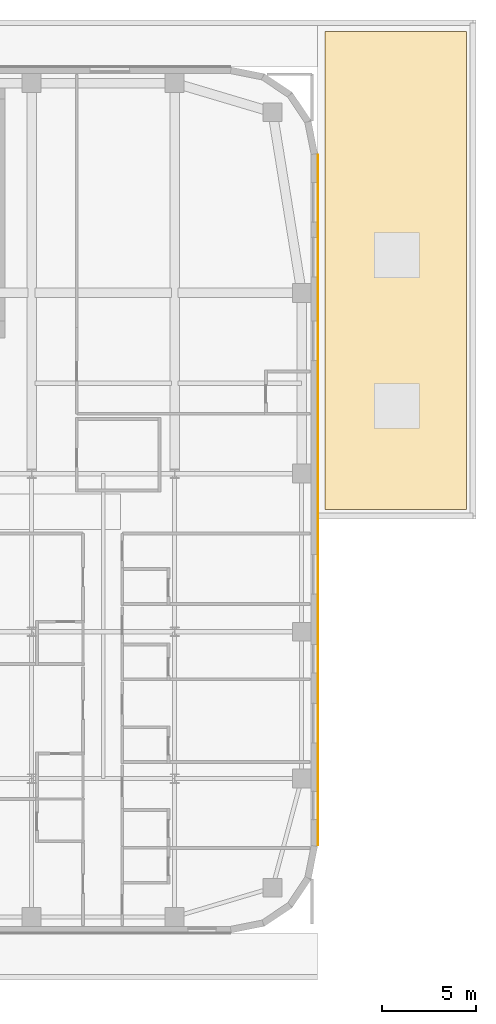
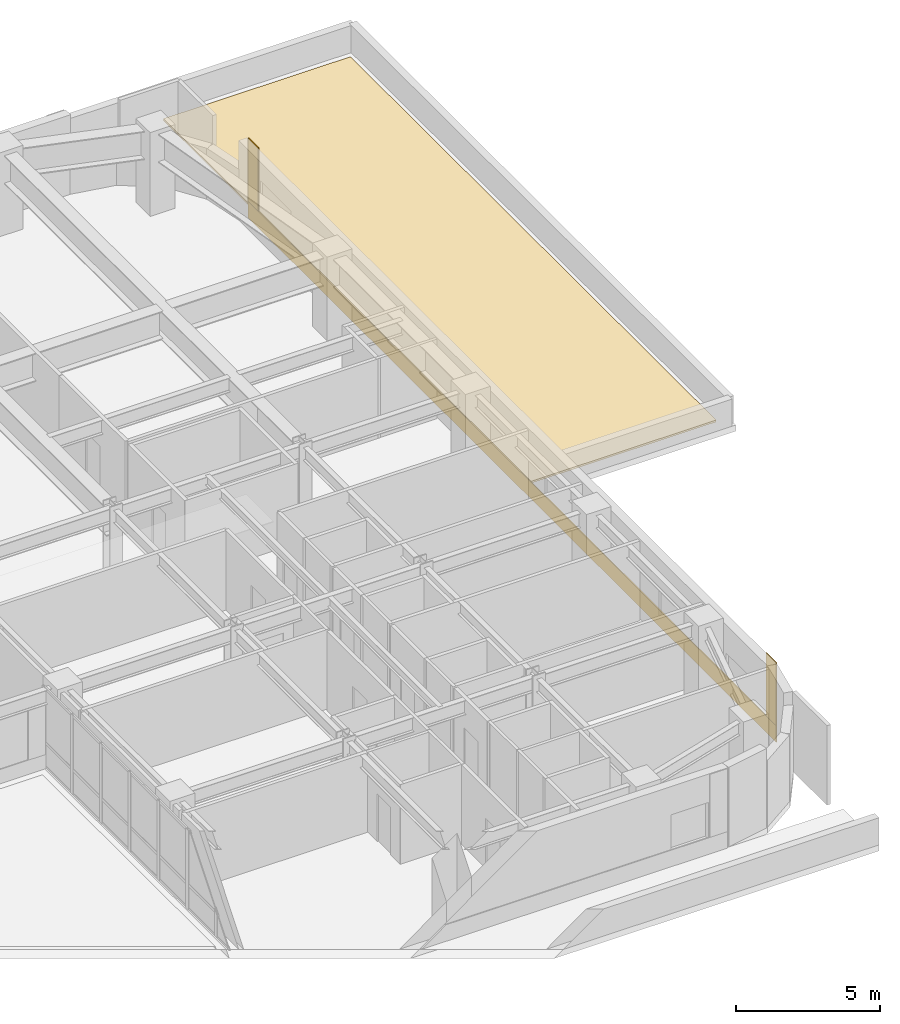
# One storey, part 25 of 25: 4 coverings.
"""IFC4 building model written with IfcOpenShell, lengths in metres."""

from ifc_helpers import new_model, si_unit, direction, frame, origin, place, context, subcontext, project, spatial, polyline, outline, extrude, material, layer, layer_set, type_object, element, save


model = new_model("IFC4")

# Units and contexts
model_context = context("Model", 3, precision=1e-05, world=origin(), true_north=direction((0.0, 1.0)))
body_context = subcontext(model_context, "Body", "Model", "MODEL_VIEW")
ifc_project = project(units=[si_unit("LENGTHUNIT", "METRE"), si_unit("AREAUNIT", "SQUARE_METRE"), si_unit("VOLUMEUNIT", "CUBIC_METRE"), si_unit("PLANEANGLEUNIT", "RADIAN"), si_unit("MASSUNIT", "GRAM", prefix="KILO")], contexts=[model_context])

# Site, building, storey
site_placement = place(None, origin())
site = spatial("IfcSite", under=ifc_project, at=site_placement, CompositionType="ELEMENT")
building_placement = place(site_placement, origin())
building = spatial("IfcBuilding", under=site, at=building_placement, Name="Tolvann Quenvar Hotel", CompositionType="ELEMENT")
storey_placement = place(building_placement, frame((0.0, 0.0, 32.0)))
storey = spatial("IfcBuildingStorey", under=building, at=storey_placement, Name="L06", CompositionType="ELEMENT", Elevation=32.0)

# Coverings
ifc_material_1 = material(Name="Kiln-fired red architectural face brick cladding", Category="masonry")
ifc_layer_1 = layer(ifc_material_1, 0.0400390625)
ifc_layer_set_1 = layer_set([ifc_layer_1], Name="Kiln-fired red architectural face brick cladding")
covering_type_1 = type_object("IfcCoveringType", Name="COV_CLAD_BRICK_40", PredefinedType="CLADDING", material=ifc_layer_set_1)
covering_1_placement = place(storey_placement, frame((0.0, 0.0, 0.699951171875)))
element("IfcCovering", 1, at=covering_1_placement, inside=storey, type_object=covering_type_1, Name="Brick Pier Cladding (L06-E13-P1)", PredefinedType="CLADDING", context=body_context, shape_type="SweptSolid", body=[
    extrude(outline(polyline([(57.0, 4.667236328125), (57.0, 5.3671875), (57.0400390625, 5.3671875), (57.0400390625, 4.667236328125), (57.0, 4.667236328125)])), origin(), (0.0, 0.0, 1.0), 2.670166015625),
])
covering_2_placement = place(storey_placement, frame((0.0, 0.0, 0.699951171875)))
element("IfcCovering", 2, at=covering_2_placement, inside=storey, type_object=covering_type_1, Name="Brick Pier Cladding (L06-E13-P2)", PredefinedType="CLADDING", context=body_context, shape_type="SweptSolid", body=[
    extrude(outline(polyline([(57.0, 40.6328125), (57.0, 41.332763671875), (57.0400390625, 41.332763671875), (57.0400390625, 40.6328125), (57.0, 40.6328125)])), origin(), (0.0, 0.0, 1.0), 2.670166015625),
])
ifc_material_2 = material(Name="Moulded buff architectural terracotta spandrel cladding", Category="masonry")
ifc_layer_2 = layer(ifc_material_2, 0.0400390625)
ifc_layer_set_2 = layer_set([ifc_layer_2], Name="Moulded buff architectural terracotta spandrel cladding")
covering_type_2 = type_object("IfcCoveringType", Name="COV_CLAD_TERRA_40", PredefinedType="CLADDING", material=ifc_layer_set_2)
covering_3_placement = place(storey_placement, origin())
element("IfcCovering", 3, at=covering_3_placement, inside=storey, type_object=covering_type_2, Name="Terracotta Spandrel Cladding (L06-E13)", PredefinedType="CLADDING", context=body_context, shape_type="SweptSolid", body=[
    extrude(outline(polyline([(57.0, 4.6572265625), (57.0, 41.3427734375), (57.0400390625, 41.3427734375), (57.0400390625, 4.6572265625), (57.0, 4.6572265625)])), origin(), (0.0, 0.0, 1.0), 0.699951171875),
])
ifc_material_3 = material(Name="Elastomeric SBS waterproof roofing membrane and rigid insulation")
ifc_layer_3 = layer(ifc_material_3, 0.080078125)
ifc_layer_set_3 = layer_set([ifc_layer_3], Name="Elastomeric SBS waterproof roofing membrane and rigid insulation")
covering_type_3 = type_object("IfcCoveringType", Name="COV_ROOF_MEMB_80", PredefinedType="ROOFING", material=ifc_layer_set_3)
covering_4_placement = place(storey_placement, origin())
element("IfcCovering", 4, at=covering_4_placement, inside=storey, type_object=covering_type_3, Name="Waterproof Roof Membrane (ROOFING-L06-EN)", PredefinedType="ROOFING", context=body_context, shape_type="SweptSolid", body=[
    extrude(outline(polyline([(57.39990234375, 22.5), (64.89990234375, 22.5), (64.89990234375, 47.89990234375), (57.39990234375, 47.89990234375), (57.39990234375, 22.5)])), origin(), (0.0, 0.0, 1.0), 0.080078125),
])

save(model, "model.ifc")
